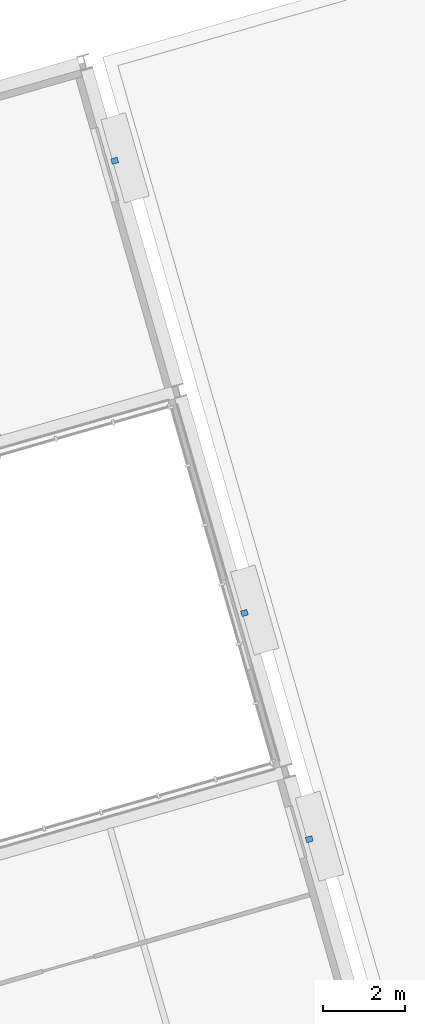
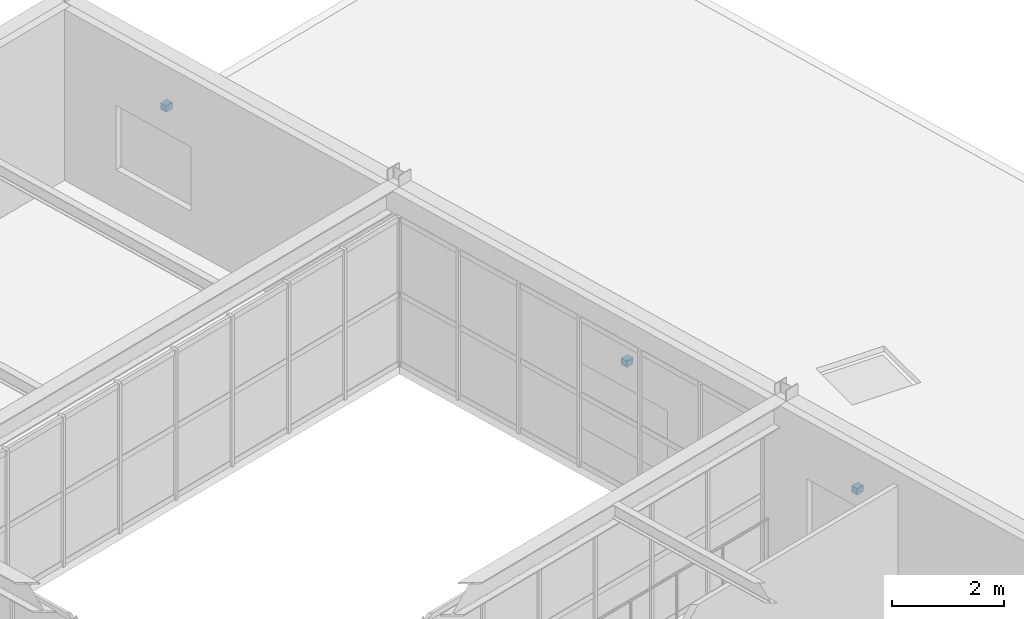
# One storey, part 36 of 44: 3 discrete accessories.
"""IFC4 building model written with IfcOpenShell, lengths in metres."""

from ifc_helpers import new_model, si_unit, direction, frame, origin, origin_2d, place, context, subcontext, project, spatial, rectangle, extrude, material, type_object, element, save


model = new_model("IFC4")

# Units and contexts
model_context = context("Model", 3, precision=1e-05, world=origin(), true_north=direction((0.0, 1.0)))
body_context = subcontext(model_context, "Body", "Model", "MODEL_VIEW")
ifc_project = project(units=[si_unit("LENGTHUNIT", "METRE"), si_unit("AREAUNIT", "SQUARE_METRE"), si_unit("VOLUMEUNIT", "CUBIC_METRE"), si_unit("PLANEANGLEUNIT", "RADIAN"), si_unit("MASSUNIT", "GRAM", prefix="KILO")], contexts=[model_context])

# Site, building, storey
site_placement = place(None, origin())
site = spatial("IfcSite", under=ifc_project, at=site_placement, CompositionType="ELEMENT")
building_placement = place(site_placement, origin())
building = spatial("IfcBuilding", under=site, at=building_placement, Name="Varnklinge Art Gallery", CompositionType="ELEMENT")
storey_placement = place(building_placement, frame((0.0, 0.0, 13.679931640625)))
storey = spatial("IfcBuildingStorey", under=building, at=storey_placement, Name="L03", CompositionType="ELEMENT", Elevation=13.679931640625)

# Discrete accessories
ifc_material = material(Name="Steel S355", Category="steel")
discrete_accessory_type = type_object("IfcDiscreteAccessoryType", Name="BRK-01", PredefinedType="BRACKET", material=ifc_material)
for number, where, z_axis, x_axis, name in (
    (1, (142.6533203125, 39.57470703125, 2.43017578125), (0.0, 0.0, 1.0), (0.275637355817, -0.961261695938, 0.0), "L03 Fin Outrigger Bracket EW-V6-L03-03.1"),
    (2, (145.801025390625, 28.59716796875, 2.43017578125), (0.0, 0.0, 1.0), (0.275637355817, -0.961261695938, 0.0), "L03 Fin Outrigger Bracket EW-V6-L03-03.3"),
    (3, (147.375, 23.1083984375, 2.43017578125), (0.0, 0.0, 1.0), (0.275637355817, -0.961261695938, 0.0), "L03 Fin Outrigger Bracket EW-V6-L03-03.4"),
):
    element("IfcDiscreteAccessory", number, at=place(storey_placement, frame(where, z_axis=z_axis, x_axis=x_axis)), inside=storey, type_object=discrete_accessory_type, Name=name, PredefinedType="BRACKET", context=body_context, shape_type="SweptSolid", body=[
        extrude(rectangle(XDim=0.139892578125, YDim=0.159912109375, at=origin_2d()), origin(), (0.0, 0.0, 1.0), 0.139892578125),
    ])

save(model, "model.ifc")
